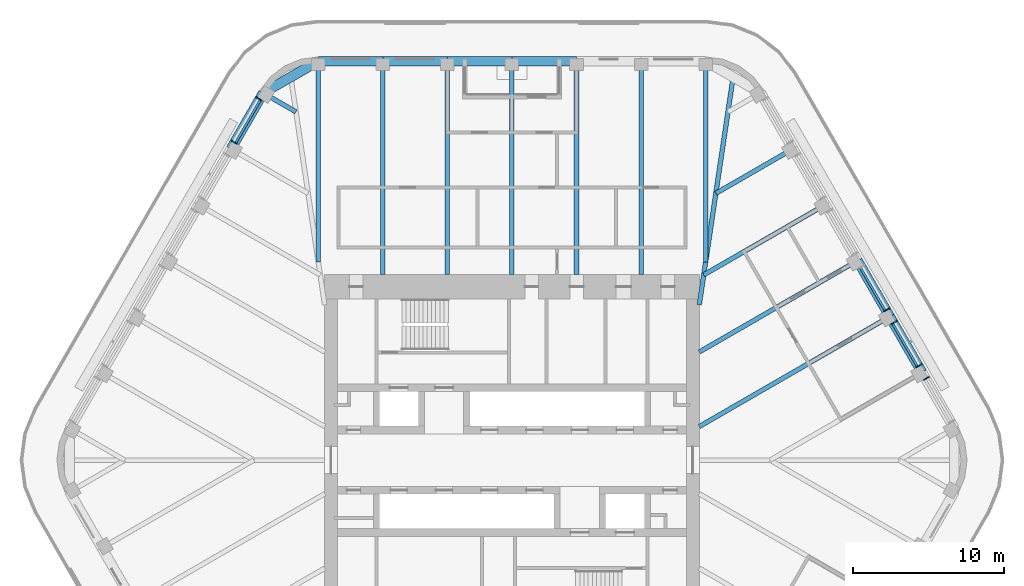
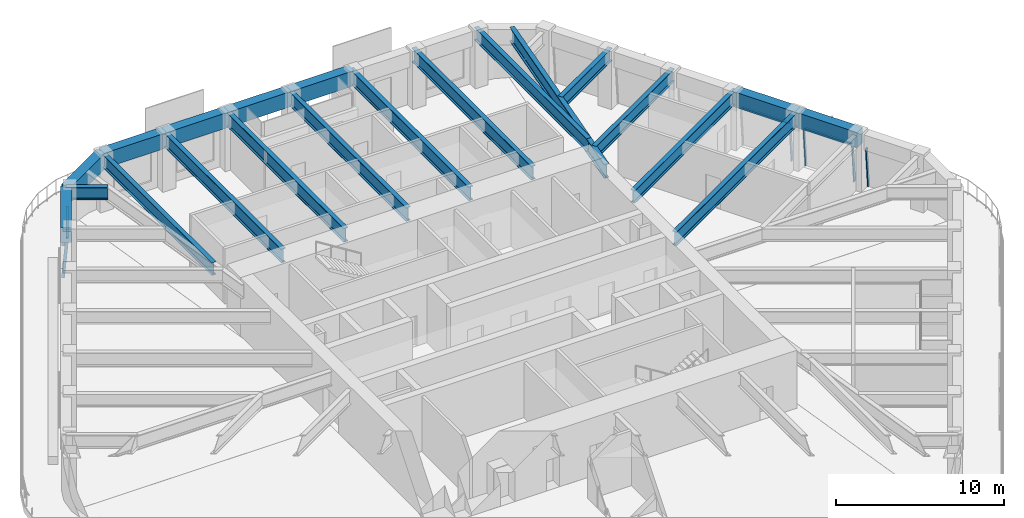
# One storey, part 9 of 19: 21 beams, 9 members, 4 elements without a shape of their own.
"""IFC4 building model written with IfcOpenShell, lengths in metres."""

from ifc_helpers import new_model, si_unit, direction, frame, origin, origin_2d, place, context, subcontext, project, spatial, rectangle, i_section, extrude, material, material_profile, profile_set, type_object, element, aggregate, save


model = new_model("IFC4")

# Units and contexts
model_context = context("Model", 3, precision=1e-05, world=origin(), true_north=direction((0.0, 1.0)))
body_context = subcontext(model_context, "Body", "Model", "MODEL_VIEW")
ifc_project = project(units=[si_unit("LENGTHUNIT", "METRE"), si_unit("AREAUNIT", "SQUARE_METRE"), si_unit("VOLUMEUNIT", "CUBIC_METRE"), si_unit("PLANEANGLEUNIT", "RADIAN"), si_unit("MASSUNIT", "GRAM", prefix="KILO")], contexts=[model_context])

# Site, building, storey
site_placement = place(None, origin())
site = spatial("IfcSite", under=ifc_project, at=site_placement, CompositionType="ELEMENT")
building_placement = place(site_placement, origin())
building = spatial("IfcBuilding", under=site, at=building_placement, Name="Tarfa Lantern Tower", CompositionType="ELEMENT")
storey_placement = place(building_placement, frame((0.0, 0.0, 370.300048828125)))
storey = spatial("IfcBuildingStorey", under=building, at=storey_placement, Name="L84", CompositionType="ELEMENT", Elevation=370.300048828125)

# Curtain wall, member
ifc_material_1 = material(Name="Aluminium framed curtain wall", Category="aluminium")
curtain_wall_type = type_object("IfcCurtainWallType", Name="CW4 CANTED GLAZING EXECUTIVE ZONE 2900", PredefinedType="USERDEFINED", material=ifc_material_1)
curtain_wall_1_placement = place(storey_placement, origin())
curtain_wall_1 = element("IfcCurtainWall", 1, at=curtain_wall_1_placement, inside=storey, type_object=curtain_wall_type, Name="CW4 NE L84", ObjectType="CURTAIN WALL", PredefinedType="USERDEFINED")
ifc_material_2 = material(Name="Aluminium mullion", Category="aluminium")
ifc_material_profile_1 = material_profile(ifc_material_2, rectangle(XDim=0.06494140625, YDim=0.199951171875, at=origin_2d()), Name="AL MULLION 65x200")
ifc_profile_set_1 = profile_set([ifc_material_profile_1], Name="Aluminium mullion")
member_type_1 = type_object("IfcMemberType", Name="CWM1 MULLION 65x200", PredefinedType="MULLION", material=ifc_profile_set_1)
member_1_placement = place(storey_placement, frame((27.602783203125, 5.490478515625, 0.0), z_axis=(-0.074399820079, -0.042945555672, 0.996303340364), x_axis=(0.499919672301, -0.866071776036, 0.0)))
member_1 = element("IfcMember", 2, at=member_1_placement, type_object=member_type_1, Name="CW4 mullion 2", PredefinedType="MULLION", context=body_context, shape_type="SweptSolid", body=[
    extrude(rectangle(XDim=0.06494140625, YDim=0.199951171875, at=origin_2d()), origin(), (0.0, 0.0, 1.0), 2.91064453125),
])
aggregate(curtain_wall_1, [member_1])

# Curtain wall, members
curtain_wall_2_placement = place(storey_placement, origin())
curtain_wall_2 = element("IfcCurtainWall", 3, at=curtain_wall_2_placement, inside=storey, type_object=curtain_wall_type, Name="CW4 NE L84", ObjectType="CURTAIN WALL", PredefinedType="USERDEFINED")
member_2_placement = place(storey_placement, frame((27.120361328125, 6.326171875, 0.0), z_axis=(-0.074399820079, -0.042945555672, 0.996303340364), x_axis=(0.499919672301, -0.866071776036, 0.0)))
member_2 = element("IfcMember", 4, at=member_2_placement, type_object=member_type_1, Name="CW4 mullion 1", PredefinedType="MULLION", context=body_context, shape_type="SweptSolid", body=[
    extrude(rectangle(XDim=0.06494140625, YDim=0.199951171875, at=origin_2d()), origin(), (0.0, 0.0, 1.0), 2.91064453125),
])
member_3_placement = place(storey_placement, frame((25.4619140625, 9.19873046875, 0.0), z_axis=(-0.074399820079, -0.042945555672, 0.996303340364), x_axis=(0.499919672301, -0.866071776036, 0.0)))
member_3 = element("IfcMember", 5, at=member_3_placement, type_object=member_type_1, Name="CW4 mullion 2", PredefinedType="MULLION", context=body_context, shape_type="SweptSolid", body=[
    extrude(rectangle(XDim=0.06494140625, YDim=0.199951171875, at=origin_2d()), origin(), (0.0, 0.0, 1.0), 2.91064453125),
])

# Curtain wall, member
curtain_wall_3_placement = place(storey_placement, origin())
curtain_wall_3 = element("IfcCurtainWall", 6, at=curtain_wall_3_placement, inside=storey, type_object=curtain_wall_type, Name="CW4 NE L84", ObjectType="CURTAIN WALL", PredefinedType="USERDEFINED")
member_4_placement = place(storey_placement, frame((24.979248046875, 10.034423828125, 0.0), z_axis=(-0.074316405553, -0.042945823525, 0.996309554359), x_axis=(0.500342721131, -0.865827443207, 0.0)))
member_4 = element("IfcMember", 7, at=member_4_placement, type_object=member_type_1, Name="CW4 mullion 1", PredefinedType="MULLION", context=body_context, shape_type="SweptSolid", body=[
    extrude(rectangle(XDim=0.06494140625, YDim=0.199951171875, at=origin_2d()), origin(), (0.0, 0.0, 1.0), 2.91064453125),
])

# Curtain wall, members
curtain_wall_4_placement = place(storey_placement, origin())
curtain_wall_4 = element("IfcCurtainWall", 8, at=curtain_wall_4_placement, inside=storey, type_object=curtain_wall_type, Name="CW4 NW L84", ObjectType="CURTAIN WALL", PredefinedType="USERDEFINED")
member_5_placement = place(storey_placement, frame((-16.897705078125, 24.0322265625, 0.0), z_axis=(0.074316405553, -0.042945823525, 0.996309554359), x_axis=(0.500342721131, 0.865827443207, 0.0)))
member_5 = element("IfcMember", 9, at=member_5_placement, type_object=member_type_1, Name="CW4 mullion 1", PredefinedType="MULLION", context=body_context, shape_type="SweptSolid", body=[
    extrude(rectangle(XDim=0.06494140625, YDim=0.199951171875, at=origin_2d()), origin(), (0.0, 0.0, 1.0), 2.91064453125),
])
member_6_placement = place(storey_placement, frame((-18.556396484375, 21.159423828125, 0.0), z_axis=(0.074399820079, -0.042945555672, 0.996303340364), x_axis=(0.499919672301, 0.866071776036, 0.0)))
member_6 = element("IfcMember", 10, at=member_6_placement, type_object=member_type_1, Name="CW4 mullion 2", PredefinedType="MULLION", context=body_context, shape_type="SweptSolid", body=[
    extrude(rectangle(XDim=0.06494140625, YDim=0.199951171875, at=origin_2d()), origin(), (0.0, 0.0, 1.0), 2.91064453125),
])

# Member
ifc_material_3 = material(Name="Aluminium transom", Category="aluminium")
ifc_material_profile_2 = material_profile(ifc_material_3, rectangle(XDim=0.14990234375, YDim=0.06494140625, at=origin_2d()), Name="AL TRANSOM 150x65")
ifc_profile_set_2 = profile_set([ifc_material_profile_2], Name="Aluminium transom")
member_type_2 = type_object("IfcMemberType", Name="CWT1 TRANSOM 150x65", PredefinedType="USERDEFINED", material=ifc_profile_set_2)
member_7_placement = place(storey_placement, frame((26.889892578125, 6.230712890625, 2.867431640625), z_axis=(-0.499982393232, 0.866035568818, 0.0), x_axis=(-0.866035568818, -0.499982393232, 0.0)))
member_7 = element("IfcMember", 11, at=member_7_placement, type_object=member_type_2, Name="CW4 transom 1.2", ObjectType="TRANSOM", PredefinedType="USERDEFINED", context=body_context, shape_type="SweptSolid", body=[
    extrude(rectangle(XDim=0.14990234375, YDim=0.06494140625, at=origin_2d()), origin(), (0.0, 0.0, 1.0), 3.251953125),
])

aggregate(curtain_wall_2, [member_2, member_3, member_7])

member_8_placement = place(storey_placement, frame((24.7490234375, 9.93896484375, 2.867431640625), z_axis=(-0.499982393232, 0.866035568818, 0.0), x_axis=(-0.866035568818, -0.499982393232, 0.0)))
member_8 = element("IfcMember", 12, at=member_8_placement, type_object=member_type_2, Name="CW4 transom 1.2", ObjectType="TRANSOM", PredefinedType="USERDEFINED", context=body_context, shape_type="SweptSolid", body=[
    extrude(rectangle(XDim=0.14990234375, YDim=0.06494140625, at=origin_2d()), origin(), (0.0, 0.0, 1.0), 3.251953125),
])

aggregate(curtain_wall_3, [member_4, member_8])

member_9_placement = place(storey_placement, frame((-16.699951171875, 23.88037109375, 2.867431640625), z_axis=(-0.499982393232, -0.866035568818, 0.0), x_axis=(0.866035568818, -0.499982393232, 0.0)))
member_9 = element("IfcMember", 13, at=member_9_placement, type_object=member_type_2, Name="CW4 transom 1.2", ObjectType="TRANSOM", PredefinedType="USERDEFINED", context=body_context, shape_type="SweptSolid", body=[
    extrude(rectangle(XDim=0.14990234375, YDim=0.06494140625, at=origin_2d()), origin(), (0.0, 0.0, 1.0), 3.251953125),
])

aggregate(curtain_wall_4, [member_5, member_6, member_9])

# Beams
ifc_material_4 = material(Name="Concrete C80/95", Category="concrete")
ifc_material_profile_3 = material_profile(ifc_material_4, rectangle(XDim=0.64990234375, YDim=1.10009765625, at=origin_2d()), Name="RC 650x1100")
ifc_profile_set_3 = profile_set([ifc_material_profile_3], Name="Concrete C80/95")
beam_type_1 = type_object("IfcBeamType", Name="EB4 RC 650x1100", PredefinedType="SPANDREL", material=ifc_profile_set_3)
beam_1_placement = place(storey_placement, frame((27.205810546875, 5.818359375, 3.449951171875), z_axis=(-0.500026801138, 0.866009929587, 0.0), x_axis=(-0.866009929587, -0.500026801138, 0.0)))
element("IfcBeam", 14, at=beam_1_placement, inside=storey, type_object=beam_type_1, Name="Edge beam NE1", PredefinedType="SPANDREL", context=body_context, shape_type="SweptSolid", body=[
    extrude(rectangle(XDim=0.64990234375, YDim=1.10009765625, at=origin_2d()), origin(), (0.0, 0.0, 1.0), 4.281982421875),
])
beam_2_placement = place(storey_placement, frame((25.064697265625, 9.526611328125, 3.449951171875), z_axis=(-0.500002112793, 0.866024183959, 0.0), x_axis=(-0.866024183959, -0.500002112793, 0.0)))
element("IfcBeam", 15, at=beam_2_placement, inside=storey, type_object=beam_type_1, Name="Edge beam NE2", PredefinedType="SPANDREL", context=body_context, shape_type="SweptSolid", body=[
    extrude(rectangle(XDim=0.64990234375, YDim=1.10009765625, at=origin_2d()), origin(), (0.0, 0.0, 1.0), 4.2822265625),
])
for number, where, z_axis, x_axis, name in (
    (16, (4.281982421875, 26.469970703125, 3.449951171875), (-1.0, 0.0, 0.0), (0.0, -1.0, 0.0), "Edge beam N2"),
    (17, (0.0, 26.469970703125, 3.449951171875), (-1.0, 0.0, 0.0), (0.0, -1.0, 0.0), "Edge beam N3"),
    (18, (-4.281982421875, 26.469970703125, 3.449951171875), (-1.0, 0.0, 0.0), (0.0, -1.0, 0.0), "Edge beam N4"),
    (19, (-8.56396484375, 26.469970703125, 3.449951171875), (-1.0, 0.0, 0.0), (0.0, -1.0, 0.0), "Edge beam N5"),
):
    element("IfcBeam", number, at=place(storey_placement, frame(where, z_axis=z_axis, x_axis=x_axis)), inside=storey, type_object=beam_type_1, Name=name, PredefinedType="SPANDREL", context=body_context, shape_type="SweptSolid", body=[
        extrude(rectangle(XDim=0.64990234375, YDim=1.10009765625, at=origin_2d()), origin(), (0.0, 0.0, 1.0), 4.281982421875),
    ])
beam_3_placement = place(storey_placement, frame((-12.845947265625, 26.469970703125, 3.449951171875), z_axis=(-0.866048788483, -0.499959494327, 0.0), x_axis=(0.499959494327, -0.866048788483, 0.0)))
element("IfcBeam", 20, at=beam_3_placement, inside=storey, type_object=beam_type_1, Name="Edge beam N6", PredefinedType="SPANDREL", context=body_context, shape_type="SweptSolid", body=[
    extrude(rectangle(XDim=0.64990234375, YDim=1.10009765625, at=origin_2d()), origin(), (0.0, 0.0, 1.0), 4.219970703125),
])
beam_4_placement = place(storey_placement, frame((-16.500732421875, 24.360107421875, 3.449951171875), z_axis=(-0.499959351497, -0.866048870937, 0.0), x_axis=(0.866048870937, -0.499959351497, 0.0)))
element("IfcBeam", 21, at=beam_4_placement, inside=storey, type_object=beam_type_1, Name="Edge beam NW0", PredefinedType="SPANDREL", context=body_context, shape_type="SweptSolid", body=[
    extrude(rectangle(XDim=0.64990234375, YDim=1.10009765625, at=origin_2d()), origin(), (0.0, 0.0, 1.0), 4.281982421875),
])
ifc_material_5 = material(Name="Steel S460M", Category="steel")
ifc_material_profile_4 = material_profile(ifc_material_5, i_section(OverallWidth=0.302001953125, OverallDepth=1.008056640625, WebThickness=0.02099609375, FlangeThickness=0.0400390625, FilletRadius=0.030029296875, at=origin_2d()), Name="UB1016x305x349")
ifc_profile_set_4 = profile_set([ifc_material_profile_4], Name="Steel S460M")
beam_type_2 = type_object("IfcBeamType", Name="UB1016x305x349", PredefinedType="BEAM", material=ifc_profile_set_4)
beam_5_placement = place(storey_placement, frame((25.064697265625, 9.526611328125, 3.495849609375), z_axis=(-0.866029591389, -0.499992746786, 0.0), x_axis=(0.499992746786, -0.866029591389, 0.0)))
element("IfcBeam", 22, at=beam_5_placement, inside=storey, type_object=beam_type_2, Name="Floor beam NE2", PredefinedType="BEAM", context=body_context, shape_type="SweptSolid", body=[
    extrude(i_section(OverallWidth=0.302001953125, OverallDepth=1.008056640625, WebThickness=0.02099609375, FlangeThickness=0.0400390625, FilletRadius=0.030029296875, at=origin_2d()), origin(), (0.0, 0.0, 1.0), 14.594970703125),
])
for number, where, z_axis, x_axis, name in (
    (23, (8.56396484375, 26.469970703125, 3.495849609375), (0.0, -1.0, 0.0), (1.0, 0.0, 0.0), "Floor beam N1"),
    (24, (4.281982421875, 26.469970703125, 3.495849609375), (0.0, -1.0, 0.0), (1.0, 0.0, 0.0), "Floor beam N2"),
    (25, (0.0, 26.469970703125, 3.495849609375), (0.0, -1.0, 0.0), (1.0, 0.0, 0.0), "Floor beam N3"),
    (26, (-4.281982421875, 26.469970703125, 3.495849609375), (0.0, -1.0, 0.0), (1.0, 0.0, 0.0), "Floor beam N4"),
    (27, (-8.56396484375, 26.469970703125, 3.495849609375), (0.0, -1.0, 0.0), (1.0, 0.0, 0.0), "Floor beam N5"),
):
    element("IfcBeam", number, at=place(storey_placement, frame(where, z_axis=z_axis, x_axis=x_axis)), inside=storey, type_object=beam_type_2, Name=name, PredefinedType="BEAM", context=body_context, shape_type="SweptSolid", body=[
        extrude(i_section(OverallWidth=0.302001953125, OverallDepth=1.008056640625, WebThickness=0.02099609375, FlangeThickness=0.0400390625, FilletRadius=0.030029296875, at=origin_2d()), origin(), (0.0, 0.0, 1.0), 14.169921875),
    ])
ifc_material_profile_5 = material_profile(ifc_material_5, i_section(OverallWidth=0.30859375, OverallDepth=1.036376953125, WebThickness=0.030029296875, FlangeThickness=0.05419921875, FilletRadius=0.030029296875, at=origin_2d()), Name="UB1016x305x487")
ifc_profile_set_5 = profile_set([ifc_material_profile_5], Name="Steel S460M")
beam_type_3 = type_object("IfcBeamType", Name="UB1016x305x487", PredefinedType="BEAM", material=ifc_profile_set_5)
beam_6_placement = place(storey_placement, frame((12.425048828125, 10.300048828125, 3.481689453125), z_axis=(0.147127069073, 0.989117599452, 0.0), x_axis=(-0.989117599452, 0.147127069073, 0.0)))
element("IfcBeam", 28, at=beam_6_placement, inside=storey, type_object=beam_type_3, Name="Hip girder NE", PredefinedType="BEAM", context=body_context, shape_type="SweptSolid", body=[
    extrude(i_section(OverallWidth=0.30859375, OverallDepth=1.036376953125, WebThickness=0.030029296875, FlangeThickness=0.05419921875, FilletRadius=0.030029296875, at=origin_2d()), origin(), (0.0, 0.0, 1.0), 15.28125),
])
ifc_material_profile_6 = material_profile(ifc_material_5, i_section(OverallWidth=0.305419921875, OverallDepth=0.91845703125, WebThickness=0.017333984375, FlangeThickness=0.02783203125, FilletRadius=0.01904296875, at=origin_2d()), Name="UB914x305x253")
ifc_profile_set_6 = profile_set([ifc_material_profile_6], Name="Steel S460M")
beam_type_4 = type_object("IfcBeamType", Name="UB914x305x253", PredefinedType="BEAM", material=ifc_profile_set_6)
beam_7_placement = place(storey_placement, frame((22.923583984375, 13.235107421875, 3.540771484375), z_axis=(-0.86601856927, -0.500011837539, 0.0), x_axis=(0.500011837539, -0.86601856927, 0.0)))
element("IfcBeam", 29, at=beam_7_placement, inside=storey, type_object=beam_type_4, Name="Floor beam NE3", PredefinedType="BEAM", context=body_context, shape_type="SweptSolid", body=[
    extrude(i_section(OverallWidth=0.305419921875, OverallDepth=0.91845703125, WebThickness=0.017333984375, FlangeThickness=0.02783203125, FilletRadius=0.01904296875, at=origin_2d()), origin(), (0.0, 0.0, 1.0), 12.122802734375),
])
beam_8_placement = place(storey_placement, frame((20.78271484375, 16.943359375, 3.540771484375), z_axis=(-0.866021806508, -0.500006230613, 0.0), x_axis=(0.500006230613, -0.866021806508, 0.0)))
element("IfcBeam", 30, at=beam_8_placement, inside=storey, type_object=beam_type_4, Name="Floor beam NE4", PredefinedType="BEAM", context=body_context, shape_type="SweptSolid", body=[
    extrude(i_section(OverallWidth=0.305419921875, OverallDepth=0.91845703125, WebThickness=0.017333984375, FlangeThickness=0.02783203125, FilletRadius=0.01904296875, at=origin_2d()), origin(), (0.0, 0.0, 1.0), 9.30908203125),
])
beam_9_placement = place(storey_placement, frame((18.6416015625, 20.651611328125, 3.540771484375), z_axis=(-0.866024549157, -0.500001480256, 0.0), x_axis=(0.500001480256, -0.866024549157, 0.0)))
element("IfcBeam", 31, at=beam_9_placement, inside=storey, type_object=beam_type_4, Name="Floor beam NE5", PredefinedType="BEAM", context=body_context, shape_type="SweptSolid", body=[
    extrude(i_section(OverallWidth=0.305419921875, OverallDepth=0.91845703125, WebThickness=0.017333984375, FlangeThickness=0.02783203125, FilletRadius=0.01904296875, at=origin_2d()), origin(), (0.0, 0.0, 1.0), 5.90771484375),
])
for number, where, z_axis, x_axis, name in (
    (32, (12.845947265625, 26.469970703125, 3.540771484375), (0.0, -1.0, 0.0), (1.0, 0.0, 0.0), "Floor beam N0"),
    (33, (-12.845947265625, 26.469970703125, 3.540771484375), (0.0, -1.0, 0.0), (1.0, 0.0, 0.0), "Floor beam N6"),
):
    element("IfcBeam", number, at=place(storey_placement, frame(where, z_axis=z_axis, x_axis=x_axis)), inside=storey, type_object=beam_type_4, Name=name, PredefinedType="BEAM", context=body_context, shape_type="SweptSolid", body=[
        extrude(i_section(OverallWidth=0.305419921875, OverallDepth=0.91845703125, WebThickness=0.017333984375, FlangeThickness=0.02783203125, FilletRadius=0.01904296875, at=origin_2d()), origin(), (0.0, 0.0, 1.0), 13.33935546875),
    ])
beam_10_placement = place(storey_placement, frame((-16.500732421875, 24.360107421875, 3.540771484375), z_axis=(0.865992557167, -0.500056887695, 0.0), x_axis=(0.500056887695, 0.865992557167, 0.0)))
element("IfcBeam", 34, at=beam_10_placement, inside=storey, type_object=beam_type_4, Name="Floor beam NW0", PredefinedType="BEAM", context=body_context, shape_type="SweptSolid", body=[
    extrude(i_section(OverallWidth=0.305419921875, OverallDepth=0.91845703125, WebThickness=0.017333984375, FlangeThickness=0.02783203125, FilletRadius=0.01904296875, at=origin_2d()), origin(), (0.0, 0.0, 1.0), 2.506591796875),
])

save(model, "model.ifc")
